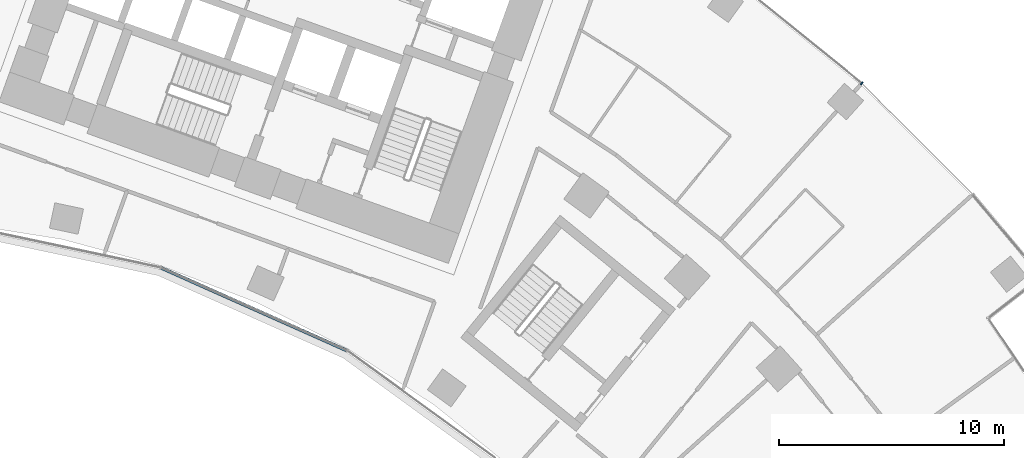
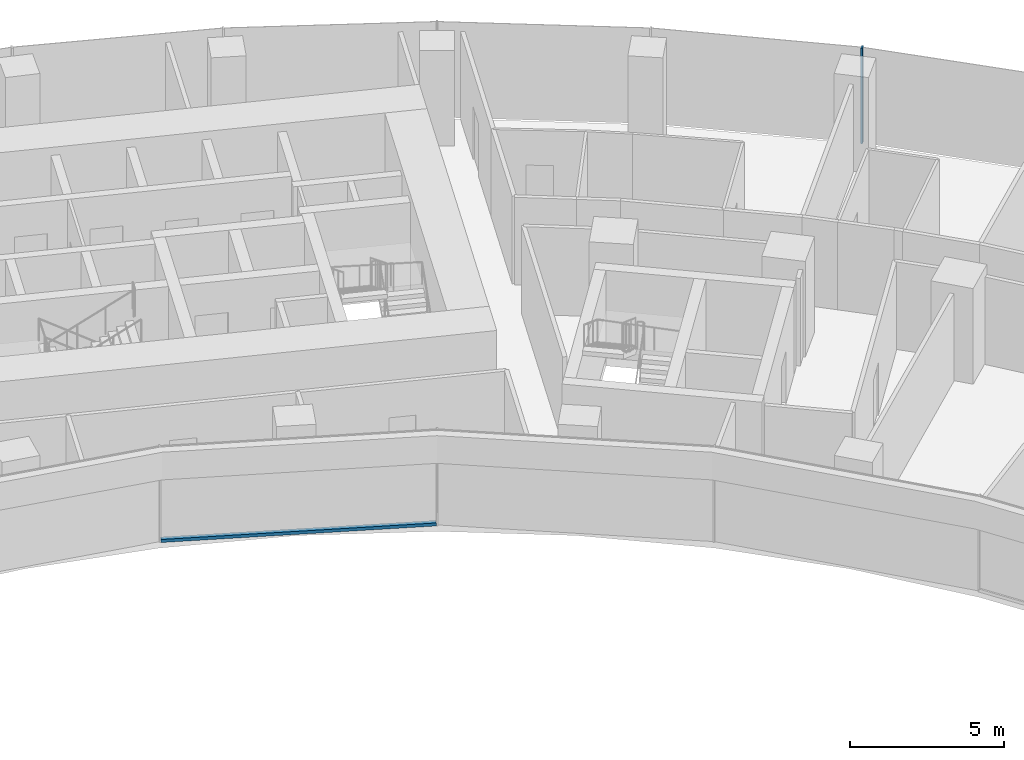
# One storey, part 8 of 21: 2 members, 2 elements without a shape of their own.
"""IFC4 building model written with IfcOpenShell, lengths in metres."""

from ifc_helpers import new_model, si_unit, direction, frame, origin, origin_2d, place, context, subcontext, project, spatial, rectangle, extrude, material, layer, layer_set, material_profile, profile_set, type_object, element, aggregate, save


model = new_model("IFC4")

# Units and contexts
model_context = context("Model", 3, precision=1e-05, world=origin(), true_north=direction((0.0, 1.0)))
body_context = subcontext(model_context, "Body", "Model", "MODEL_VIEW")
ifc_project = project(units=[si_unit("LENGTHUNIT", "METRE"), si_unit("AREAUNIT", "SQUARE_METRE"), si_unit("VOLUMEUNIT", "CUBIC_METRE"), si_unit("PLANEANGLEUNIT", "RADIAN"), si_unit("MASSUNIT", "GRAM", prefix="KILO")], contexts=[model_context])

# Site, building, storey
site_placement = place(None, origin())
site = spatial("IfcSite", under=ifc_project, at=site_placement, CompositionType="ELEMENT")
building_placement = place(site_placement, origin())
building = spatial("IfcBuilding", under=site, at=building_placement, Name="Stone Belt Terrace Tower", CompositionType="ELEMENT")
storey_placement = place(building_placement, frame((0.0, 0.0, 117.39990234375)))
storey = spatial("IfcBuildingStorey", under=building, at=storey_placement, Name="L28", CompositionType="ELEMENT", Elevation=117.39990234375)

# Curtain wall, member
ifc_material = material(Name="Aluminium 6063-T6 anodised frame", Category="aluminium")
ifc_layer_1 = layer(ifc_material, 0.14990234375)
ifc_layer_set_1 = layer_set([ifc_layer_1], Name="CW-A unitised convex-face curtain wall")
curtain_wall_type_1 = type_object("IfcCurtainWallType", Name="CW-A unitised convex-face curtain wall", PredefinedType="NOTDEFINED", material=ifc_layer_set_1)
curtain_wall_1_placement = place(storey_placement, origin())
curtain_wall_1 = element("IfcCurtainWall", 1, at=curtain_wall_1_placement, inside=storey, type_object=curtain_wall_type_1, Name="CW-A convex face L28", PredefinedType="NOTDEFINED")
ifc_material_profile_1 = material_profile(ifc_material, rectangle(XDim=0.14990234375, YDim=0.06005859375, at=origin_2d()), Name="Aluminium 6063-T6 60x150")
ifc_profile_set_1 = profile_set([ifc_material_profile_1], Name="Aluminium 6063-T6 anodised frame")
member_type_1 = type_object("IfcMemberType", Name="CW-A mullion 60 x 150", PredefinedType="MULLION", material=ifc_profile_set_1)
member_1_placement = place(storey_placement, frame((44.54736328125, 49.474853515625, 0.0), z_axis=(0.0, 0.0, 1.0), x_axis=(-0.669130606359, -0.743144825477, 0.0)))
member_1 = element("IfcMember", 2, at=member_1_placement, type_object=member_type_1, Name="CW-A mullion 3", PredefinedType="MULLION", context=body_context, shape_type="SweptSolid", body=[
    extrude(rectangle(XDim=0.14990234375, YDim=0.06005859375, at=origin_2d()), origin(), (0.0, 0.0, 1.0), 3.800048828125),
])
aggregate(curtain_wall_1, [member_1])

ifc_layer_2 = layer(ifc_material, 0.14990234375)
ifc_layer_set_2 = layer_set([ifc_layer_2], Name="CW-B unitised concave-face curtain wall")
curtain_wall_type_2 = type_object("IfcCurtainWallType", Name="CW-B unitised concave-face curtain wall", PredefinedType="NOTDEFINED", material=ifc_layer_set_2)
curtain_wall_2_placement = place(storey_placement, origin())
curtain_wall_2 = element("IfcCurtainWall", 3, at=curtain_wall_2_placement, inside=storey, type_object=curtain_wall_type_2, Name="CW-B concave face L28", PredefinedType="NOTDEFINED")
ifc_material_profile_2 = material_profile(ifc_material, rectangle(XDim=0.14990234375, YDim=0.1201171875, at=origin_2d()), Name="Aluminium 6063-T6 150x120")
ifc_profile_set_2 = profile_set([ifc_material_profile_2], Name="Aluminium 6063-T6 anodised frame")
member_type_2 = type_object("IfcMemberType", Name="CW-B transom 120 x 150", PredefinedType="USERDEFINED", material=ifc_profile_set_2)
member_2_placement = place(storey_placement, frame((13.44873046875, 41.285888671875, 0.06005859375), z_axis=(0.913548853737, -0.406729015237, 0.0), x_axis=(0.406729015237, 0.913548853737, 0.0)))
member_2 = element("IfcMember", 4, at=member_2_placement, type_object=member_type_2, Name="CW-B transom 7.1", ObjectType="TRANSOM", PredefinedType="USERDEFINED", context=body_context, shape_type="SweptSolid", body=[
    extrude(rectangle(XDim=0.14990234375, YDim=0.1201171875, at=origin_2d()), origin(), (0.0, 0.0, 1.0), 9.0126953125),
])
aggregate(curtain_wall_2, [member_2])

save(model, "model.ifc")
